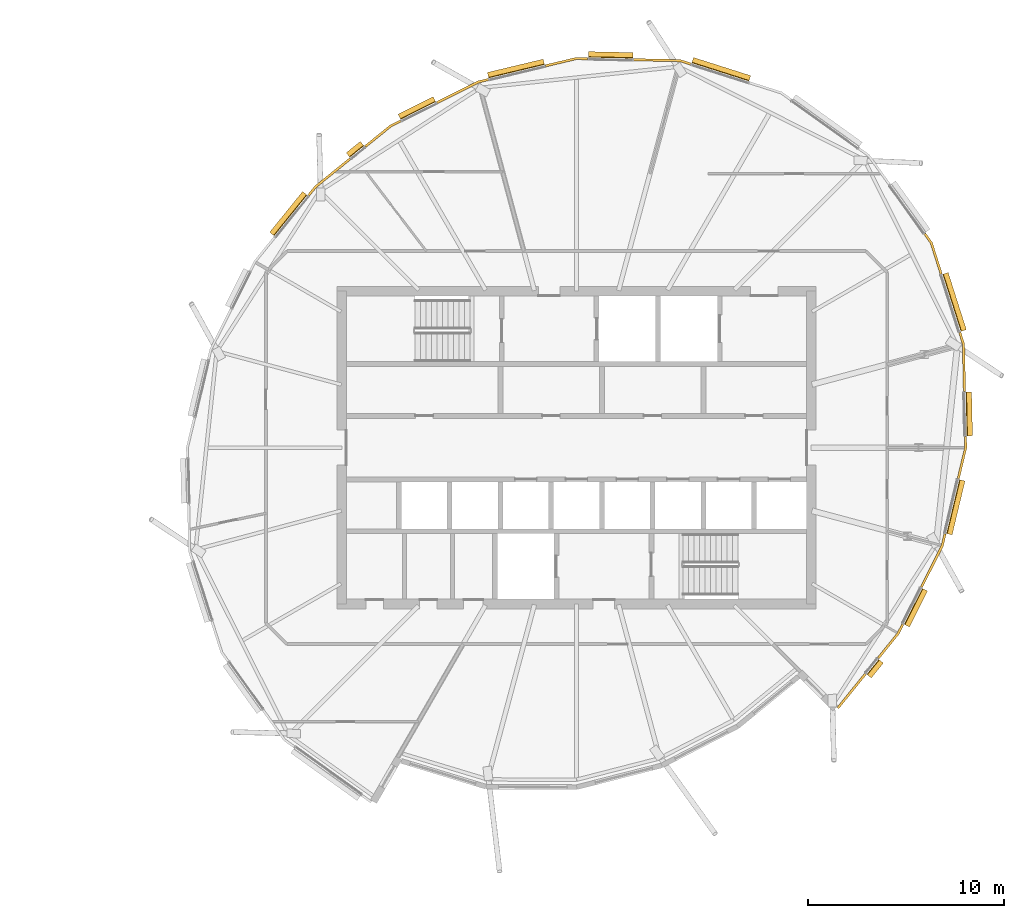
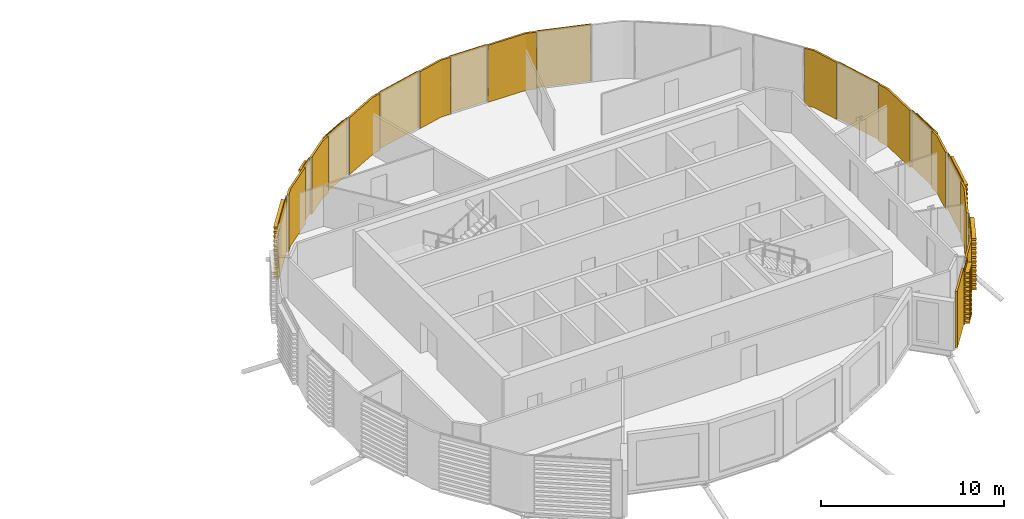
# One storey, part 40 of 41: 22 coverings.
"""IFC4 building model written with IfcOpenShell, lengths in metres."""

from ifc_helpers import new_model, si_unit, direction, frame, origin, place, context, subcontext, project, spatial, polyline, outline, extrude, material, layer, layer_set, material_profile, profile_set, type_object, element, save


model = new_model("IFC4")

# Units and contexts
model_context = context("Model", 3, precision=1e-05, world=origin(), true_north=direction((0.0, 1.0)))
body_context = subcontext(model_context, "Body", "Model", "MODEL_VIEW")
ifc_project = project(units=[si_unit("LENGTHUNIT", "METRE"), si_unit("AREAUNIT", "SQUARE_METRE"), si_unit("VOLUMEUNIT", "CUBIC_METRE"), si_unit("PLANEANGLEUNIT", "RADIAN"), si_unit("MASSUNIT", "GRAM", prefix="KILO")], contexts=[model_context])

# Site, building, storey
site_placement = place(None, origin())
site = spatial("IfcSite", under=ifc_project, at=site_placement, CompositionType="ELEMENT")
building_placement = place(site_placement, origin())
building = spatial("IfcBuilding", under=site, at=building_placement, Name="Rimbun Link Towers", CompositionType="ELEMENT")
storey_placement = place(building_placement, frame((0.0, 0.0, 214.300048828125)))
storey = spatial("IfcBuildingStorey", under=building, at=storey_placement, Name="L52", CompositionType="ELEMENT", Elevation=214.300048828125)

# Coverings
ifc_material_1 = material(Name="Terracotta", Category="masonry")
ifc_layer = layer(ifc_material_1, 0.1201171875)
ifc_layer_set = layer_set([ifc_layer], Name="LINK PIER terracotta cladding 120")
covering_type_1 = type_object("IfcCoveringType", Name="LINK PIER terracotta cladding 120", PredefinedType="CLADDING", material=ifc_layer_set)
covering_1_placement = place(storey_placement, origin())
element("IfcCovering", 1, at=covering_1_placement, inside=storey, type_object=covering_type_1, Name="LINK PIER cladding", PredefinedType="CLADDING", context=body_context, shape_type="SweptSolid", body=[
    extrude(outline(polyline([(34.665771484375, 19.77490234375), (37.035400390625, 19.72509765625), (37.57861328125, 19.55224609375), (37.61474609375, 19.66650390625), (37.05517578125, 19.8447265625), (34.66845703125, 19.894775390625), (34.665771484375, 19.77490234375)])), origin(), (0.0, 0.0, 1.0), 3.800048828125),
])
covering_2_placement = place(storey_placement, origin())
element("IfcCovering", 2, at=covering_2_placement, inside=storey, type_object=covering_type_1, Name="LINK PIER cladding", PredefinedType="CLADDING", context=body_context, shape_type="SweptSolid", body=[
    extrude(outline(polyline([(30.17431640625, 19.45947265625), (31.75, 19.836181640625), (32.31982421875, 19.82421875), (32.322509765625, 19.9443359375), (31.737060546875, 19.95654296875), (30.146484375, 19.576171875), (30.17431640625, 19.45947265625)])), origin(), (0.0, 0.0, 1.0), 3.800048828125),
])
covering_3_placement = place(storey_placement, origin())
element("IfcCovering", 3, at=covering_3_placement, inside=storey, type_object=covering_type_1, Name="LINK PIER cladding", PredefinedType="CLADDING", context=body_context, shape_type="SweptSolid", body=[
    extrude(outline(polyline([(24.636962890625, 17.578125), (26.7548828125, 18.6416015625), (27.2607421875, 18.7626953125), (27.23291015625, 18.87939453125), (26.713623046875, 18.755126953125), (24.583251953125, 17.685302734375), (24.636962890625, 17.578125)])), origin(), (0.0, 0.0, 1.0), 3.800048828125),
])
covering_4_placement = place(storey_placement, origin())
element("IfcCovering", 4, at=covering_4_placement, inside=storey, type_object=covering_type_1, Name="LINK PIER cladding", PredefinedType="CLADDING", context=body_context, shape_type="SweptSolid", body=[
    extrude(outline(polyline([(20.985595703125, 15.345703125), (22.28369140625, 16.396240234375), (22.79296875, 16.652099609375), (22.739013671875, 16.75927734375), (22.21826171875, 16.497802734375), (20.91015625, 15.43896484375), (20.985595703125, 15.345703125)])), origin(), (0.0, 0.0, 1.0), 3.800048828125),
])
covering_5_placement = place(storey_placement, origin())
element("IfcCovering", 5, at=covering_5_placement, inside=storey, type_object=covering_type_1, Name="LINK PIER cladding", PredefinedType="CLADDING", context=body_context, shape_type="SweptSolid", body=[
    extrude(outline(polyline([(18.09521484375, 12.853271484375), (18.453857421875, 13.296142578125), (20.21826171875, 14.724365234375), (20.142578125, 14.817626953125), (18.368408203125, 13.381591796875), (18.001953125, 12.9287109375), (18.09521484375, 12.853271484375)])), origin(), (0.0, 0.0, 1.0), 3.800048828125),
])
covering_6_placement = place(storey_placement, origin())
element("IfcCovering", 6, at=covering_6_placement, inside=storey, type_object=covering_type_1, Name="LINK PIER cladding", PredefinedType="CLADDING", context=body_context, shape_type="SweptSolid", body=[
    extrude(outline(polyline([(46.474365234375, -11.53173828125), (45.065185546875, -13.27294921875), (45.158447265625, -13.348388671875), (46.567626953125, -11.607421875), (46.474365234375, -11.53173828125)])), origin(), (0.0, 0.0, 1.0), 3.800048828125),
])
covering_7_placement = place(storey_placement, origin())
element("IfcCovering", 7, at=covering_7_placement, inside=storey, type_object=covering_type_1, Name="LINK PIER cladding", PredefinedType="CLADDING", context=body_context, shape_type="SweptSolid", body=[
    extrude(outline(polyline([(48.379638671875, -9.001708984375), (48.146240234375, -9.46630859375), (47.126953125, -10.7255859375), (47.22021484375, -10.801025390625), (48.247802734375, -9.53173828125), (48.48681640625, -9.0556640625), (48.379638671875, -9.001708984375)])), origin(), (0.0, 0.0, 1.0), 3.800048828125),
])
covering_8_placement = place(storey_placement, origin())
element("IfcCovering", 8, at=covering_8_placement, inside=storey, type_object=covering_type_1, Name="LINK PIER cladding", PredefinedType="CLADDING", context=body_context, shape_type="SweptSolid", body=[
    extrude(outline(polyline([(50.535888671875, -4.39208984375), (50.3916015625, -4.9951171875), (49.328125, -7.113037109375), (49.435302734375, -7.166748046875), (50.505126953125, -5.036376953125), (50.652587890625, -4.419921875), (50.535888671875, -4.39208984375)])), origin(), (0.0, 0.0, 1.0), 3.800048828125),
])
covering_9_placement = place(storey_placement, origin())
element("IfcCovering", 9, at=covering_9_placement, inside=storey, type_object=covering_type_1, Name="LINK PIER cladding", PredefinedType="CLADDING", context=body_context, shape_type="SweptSolid", body=[
    extrude(outline(polyline([(51.57421875, 0.56982421875), (51.586181640625, 0.0), (51.20947265625, -1.57568359375), (51.326171875, -1.603515625), (51.70654296875, -0.012939453125), (51.6943359375, 0.572509765625), (51.57421875, 0.56982421875)])), origin(), (0.0, 0.0, 1.0), 3.800048828125),
])
covering_10_placement = place(storey_placement, origin())
element("IfcCovering", 10, at=covering_10_placement, inside=storey, type_object=covering_type_1, Name="LINK PIER cladding", PredefinedType="CLADDING", context=body_context, shape_type="SweptSolid", body=[
    extrude(outline(polyline([(51.287109375, 5.876220703125), (51.47509765625, 5.285400390625), (51.52587890625, 2.86572265625), (51.64599609375, 2.868408203125), (51.5947265625, 5.30517578125), (51.4013671875, 5.91259765625), (51.287109375, 5.876220703125)])), origin(), (0.0, 0.0, 1.0), 3.800048828125),
])
covering_11_placement = place(storey_placement, origin())
element("IfcCovering", 11, at=covering_11_placement, inside=storey, type_object=covering_type_1, Name="LINK PIER cladding", PredefinedType="CLADDING", context=body_context, shape_type="SweptSolid", body=[
    extrude(outline(polyline([(49.5029296875, 10.904541015625), (49.835205078125, 10.44140625), (50.34130859375, 8.85009765625), (50.45556640625, 8.886474609375), (49.94384765625, 10.49609375), (49.600341796875, 10.974609375), (49.5029296875, 10.904541015625)])), origin(), (0.0, 0.0, 1.0), 3.800048828125),
])
ifc_material_2 = material(Name="Terracotta", Category="masonry")
ifc_material_profile = material_profile(ifc_material_2, outline(polyline([(0.123046875, 0.0), (0.1630859375, 0.0), (0.1630859375, 0.10009765625), (0.423095703125, 0.10009765625), (0.423095703125, 0.219970703125), (0.1630859375, 0.219970703125), (0.1630859375, 0.39990234375), (0.423095703125, 0.39990234375), (0.423095703125, 0.52001953125), (0.1630859375, 0.52001953125), (0.1630859375, 0.699951171875), (0.423095703125, 0.699951171875), (0.423095703125, 0.820068359375), (0.1630859375, 0.820068359375), (0.1630859375, 1.0), (0.423095703125, 1.0), (0.423095703125, 1.1201171875), (0.1630859375, 1.1201171875), (0.1630859375, 1.300048828125), (0.423095703125, 1.300048828125), (0.423095703125, 1.419921875), (0.1630859375, 1.419921875), (0.1630859375, 1.60009765625), (0.423095703125, 1.60009765625), (0.423095703125, 1.719970703125), (0.1630859375, 1.719970703125), (0.1630859375, 1.89990234375), (0.423095703125, 1.89990234375), (0.423095703125, 2.02001953125), (0.1630859375, 2.02001953125), (0.1630859375, 2.199951171875), (0.423095703125, 2.199951171875), (0.423095703125, 2.320068359375), (0.1630859375, 2.320068359375), (0.1630859375, 2.5), (0.423095703125, 2.5), (0.423095703125, 2.6201171875), (0.1630859375, 2.6201171875), (0.1630859375, 2.800048828125), (0.423095703125, 2.800048828125), (0.423095703125, 2.919921875), (0.1630859375, 2.919921875), (0.1630859375, 3.10009765625), (0.423095703125, 3.10009765625), (0.423095703125, 3.219970703125), (0.1630859375, 3.219970703125), (0.1630859375, 3.39990234375), (0.423095703125, 3.39990234375), (0.423095703125, 3.52001953125), (0.1630859375, 3.52001953125), (0.1630859375, 3.800048828125), (0.123046875, 3.800048828125), (0.123046875, 0.0)])), Name="BAGUETTE 120X300")
ifc_profile_set = profile_set([ifc_material_profile], Name="Terracotta")
covering_type_2 = type_object("IfcCoveringType", Name="TERRACOTTA BAGUETTE 120X300 H3800", PredefinedType="CLADDING", material=ifc_profile_set)
covering_12_placement = place(storey_placement, frame((37.607177734375, 19.543212890625, 0.0), z_axis=(0.952956154888, -0.303108176829, 0.0), x_axis=(0.303108176829, 0.952956154888, 0.0)))
element("IfcCovering", 12, at=covering_12_placement, inside=storey, type_object=covering_type_2, Name="TERRACOTTA BAGUETTE", PredefinedType="CLADDING", context=body_context, shape_type="SweptSolid", body=[
    extrude(outline(polyline([(0.123046875, 0.0), (0.1630859375, 0.0), (0.1630859375, 0.10009765625), (0.423095703125, 0.10009765625), (0.423095703125, 0.219970703125), (0.1630859375, 0.219970703125), (0.1630859375, 0.39990234375), (0.423095703125, 0.39990234375), (0.423095703125, 0.52001953125), (0.1630859375, 0.52001953125), (0.1630859375, 0.699951171875), (0.423095703125, 0.699951171875), (0.423095703125, 0.820068359375), (0.1630859375, 0.820068359375), (0.1630859375, 1.0), (0.423095703125, 1.0), (0.423095703125, 1.1201171875), (0.1630859375, 1.1201171875), (0.1630859375, 1.300048828125), (0.423095703125, 1.300048828125), (0.423095703125, 1.419921875), (0.1630859375, 1.419921875), (0.1630859375, 1.60009765625), (0.423095703125, 1.60009765625), (0.423095703125, 1.719970703125), (0.1630859375, 1.719970703125), (0.1630859375, 1.89990234375), (0.423095703125, 1.89990234375), (0.423095703125, 2.02001953125), (0.1630859375, 2.02001953125), (0.1630859375, 2.199951171875), (0.423095703125, 2.199951171875), (0.423095703125, 2.320068359375), (0.1630859375, 2.320068359375), (0.1630859375, 2.5), (0.423095703125, 2.5), (0.423095703125, 2.6201171875), (0.1630859375, 2.6201171875), (0.1630859375, 2.800048828125), (0.423095703125, 2.800048828125), (0.423095703125, 2.919921875), (0.1630859375, 2.919921875), (0.1630859375, 3.10009765625), (0.423095703125, 3.10009765625), (0.423095703125, 3.219970703125), (0.1630859375, 3.219970703125), (0.1630859375, 3.39990234375), (0.423095703125, 3.39990234375), (0.423095703125, 3.52001953125), (0.1630859375, 3.52001953125), (0.1630859375, 3.800048828125), (0.123046875, 3.800048828125), (0.123046875, 0.0)])), origin(), (0.0, 0.0, 1.0), 3.060791015625),
])
covering_13_placement = place(storey_placement, frame((32.349853515625, 19.82373046875, 0.0), z_axis=(0.999778727091, -0.021035609232, 0.0), x_axis=(0.021035609232, 0.999778727091, 0.0)))
element("IfcCovering", 13, at=covering_13_placement, inside=storey, type_object=covering_type_2, Name="TERRACOTTA BAGUETTE", PredefinedType="CLADDING", context=body_context, shape_type="SweptSolid", body=[
    extrude(outline(polyline([(0.123046875, 0.0), (0.1630859375, 0.0), (0.1630859375, 0.10009765625), (0.423095703125, 0.10009765625), (0.423095703125, 0.219970703125), (0.1630859375, 0.219970703125), (0.1630859375, 0.39990234375), (0.423095703125, 0.39990234375), (0.423095703125, 0.52001953125), (0.1630859375, 0.52001953125), (0.1630859375, 0.699951171875), (0.423095703125, 0.699951171875), (0.423095703125, 0.820068359375), (0.1630859375, 0.820068359375), (0.1630859375, 1.0), (0.423095703125, 1.0), (0.423095703125, 1.1201171875), (0.1630859375, 1.1201171875), (0.1630859375, 1.300048828125), (0.423095703125, 1.300048828125), (0.423095703125, 1.419921875), (0.1630859375, 1.419921875), (0.1630859375, 1.60009765625), (0.423095703125, 1.60009765625), (0.423095703125, 1.719970703125), (0.1630859375, 1.719970703125), (0.1630859375, 1.89990234375), (0.423095703125, 1.89990234375), (0.423095703125, 2.02001953125), (0.1630859375, 2.02001953125), (0.1630859375, 2.199951171875), (0.423095703125, 2.199951171875), (0.423095703125, 2.320068359375), (0.1630859375, 2.320068359375), (0.1630859375, 2.5), (0.423095703125, 2.5), (0.423095703125, 2.6201171875), (0.1630859375, 2.6201171875), (0.1630859375, 2.800048828125), (0.423095703125, 2.800048828125), (0.423095703125, 2.919921875), (0.1630859375, 2.919921875), (0.1630859375, 3.10009765625), (0.423095703125, 3.10009765625), (0.423095703125, 3.219970703125), (0.1630859375, 3.219970703125), (0.1630859375, 3.39990234375), (0.423095703125, 3.39990234375), (0.423095703125, 3.52001953125), (0.1630859375, 3.52001953125), (0.1630859375, 3.800048828125), (0.123046875, 3.800048828125), (0.123046875, 0.0)])), origin(), (0.0, 0.0, 1.0), 2.286376953125),
])
covering_14_placement = place(storey_placement, frame((27.289794921875, 18.76953125, 0.0), z_axis=(0.972576438223, 0.232583472786, 0.0), x_axis=(-0.232583472786, 0.972576438223, 0.0)))
element("IfcCovering", 14, at=covering_14_placement, inside=storey, type_object=covering_type_2, Name="TERRACOTTA BAGUETTE", PredefinedType="CLADDING", context=body_context, shape_type="SweptSolid", body=[
    extrude(outline(polyline([(0.123046875, 0.0), (0.1630859375, 0.0), (0.1630859375, 0.10009765625), (0.423095703125, 0.10009765625), (0.423095703125, 0.219970703125), (0.1630859375, 0.219970703125), (0.1630859375, 0.39990234375), (0.423095703125, 0.39990234375), (0.423095703125, 0.52001953125), (0.1630859375, 0.52001953125), (0.1630859375, 0.699951171875), (0.423095703125, 0.699951171875), (0.423095703125, 0.820068359375), (0.1630859375, 0.820068359375), (0.1630859375, 1.0), (0.423095703125, 1.0), (0.423095703125, 1.1201171875), (0.1630859375, 1.1201171875), (0.1630859375, 1.300048828125), (0.423095703125, 1.300048828125), (0.423095703125, 1.419921875), (0.1630859375, 1.419921875), (0.1630859375, 1.60009765625), (0.423095703125, 1.60009765625), (0.423095703125, 1.719970703125), (0.1630859375, 1.719970703125), (0.1630859375, 1.89990234375), (0.423095703125, 1.89990234375), (0.423095703125, 2.02001953125), (0.1630859375, 2.02001953125), (0.1630859375, 2.199951171875), (0.423095703125, 2.199951171875), (0.423095703125, 2.320068359375), (0.1630859375, 2.320068359375), (0.1630859375, 2.5), (0.423095703125, 2.5), (0.423095703125, 2.6201171875), (0.1630859375, 2.6201171875), (0.1630859375, 2.800048828125), (0.423095703125, 2.800048828125), (0.423095703125, 2.919921875), (0.1630859375, 2.919921875), (0.1630859375, 3.10009765625), (0.423095703125, 3.10009765625), (0.423095703125, 3.219970703125), (0.1630859375, 3.219970703125), (0.1630859375, 3.39990234375), (0.423095703125, 3.39990234375), (0.423095703125, 3.52001953125), (0.1630859375, 3.52001953125), (0.1630859375, 3.800048828125), (0.123046875, 3.800048828125), (0.123046875, 0.0)])), origin(), (0.0, 0.0, 1.0), 2.93603515625),
])
covering_15_placement = place(storey_placement, frame((22.81982421875, 16.66552734375, 0.0), z_axis=(0.893645992803, 0.448772592241, 0.0), x_axis=(-0.448772592241, 0.893645992803, 0.0)))
element("IfcCovering", 15, at=covering_15_placement, inside=storey, type_object=covering_type_2, Name="TERRACOTTA BAGUETTE", PredefinedType="CLADDING", context=body_context, shape_type="SweptSolid", body=[
    extrude(outline(polyline([(0.123046875, 0.0), (0.1630859375, 0.0), (0.1630859375, 0.10009765625), (0.423095703125, 0.10009765625), (0.423095703125, 0.219970703125), (0.1630859375, 0.219970703125), (0.1630859375, 0.39990234375), (0.423095703125, 0.39990234375), (0.423095703125, 0.52001953125), (0.1630859375, 0.52001953125), (0.1630859375, 0.699951171875), (0.423095703125, 0.699951171875), (0.423095703125, 0.820068359375), (0.1630859375, 0.820068359375), (0.1630859375, 1.0), (0.423095703125, 1.0), (0.423095703125, 1.1201171875), (0.1630859375, 1.1201171875), (0.1630859375, 1.300048828125), (0.423095703125, 1.300048828125), (0.423095703125, 1.419921875), (0.1630859375, 1.419921875), (0.1630859375, 1.60009765625), (0.423095703125, 1.60009765625), (0.423095703125, 1.719970703125), (0.1630859375, 1.719970703125), (0.1630859375, 1.89990234375), (0.423095703125, 1.89990234375), (0.423095703125, 2.02001953125), (0.1630859375, 2.02001953125), (0.1630859375, 2.199951171875), (0.423095703125, 2.199951171875), (0.423095703125, 2.320068359375), (0.1630859375, 2.320068359375), (0.1630859375, 2.5), (0.423095703125, 2.5), (0.423095703125, 2.6201171875), (0.1630859375, 2.6201171875), (0.1630859375, 2.800048828125), (0.423095703125, 2.800048828125), (0.423095703125, 2.919921875), (0.1630859375, 2.919921875), (0.1630859375, 3.10009765625), (0.423095703125, 3.10009765625), (0.423095703125, 3.219970703125), (0.1630859375, 3.219970703125), (0.1630859375, 3.39990234375), (0.423095703125, 3.39990234375), (0.423095703125, 3.52001953125), (0.1630859375, 3.52001953125), (0.1630859375, 3.800048828125), (0.123046875, 3.800048828125), (0.123046875, 0.0)])), origin(), (0.0, 0.0, 1.0), 2.003662109375),
])
covering_16_placement = place(storey_placement, frame((20.241455078125, 14.743408203125, 0.0), z_axis=(0.777336845963, 0.629084595192, 0.0), x_axis=(-0.629084595192, 0.777336845963, 0.0)))
element("IfcCovering", 16, at=covering_16_placement, inside=storey, type_object=covering_type_2, Name="TERRACOTTA BAGUETTE", PredefinedType="CLADDING", context=body_context, shape_type="SweptSolid", body=[
    extrude(outline(polyline([(0.123046875, 0.0), (0.1630859375, 0.0), (0.1630859375, 0.10009765625), (0.423095703125, 0.10009765625), (0.423095703125, 0.219970703125), (0.1630859375, 0.219970703125), (0.1630859375, 0.39990234375), (0.423095703125, 0.39990234375), (0.423095703125, 0.52001953125), (0.1630859375, 0.52001953125), (0.1630859375, 0.699951171875), (0.423095703125, 0.699951171875), (0.423095703125, 0.820068359375), (0.1630859375, 0.820068359375), (0.1630859375, 1.0), (0.423095703125, 1.0), (0.423095703125, 1.1201171875), (0.1630859375, 1.1201171875), (0.1630859375, 1.300048828125), (0.423095703125, 1.300048828125), (0.423095703125, 1.419921875), (0.1630859375, 1.419921875), (0.1630859375, 1.60009765625), (0.423095703125, 1.60009765625), (0.423095703125, 1.719970703125), (0.1630859375, 1.719970703125), (0.1630859375, 1.89990234375), (0.423095703125, 1.89990234375), (0.423095703125, 2.02001953125), (0.1630859375, 2.02001953125), (0.1630859375, 2.199951171875), (0.423095703125, 2.199951171875), (0.423095703125, 2.320068359375), (0.1630859375, 2.320068359375), (0.1630859375, 2.5), (0.423095703125, 2.5), (0.423095703125, 2.6201171875), (0.1630859375, 2.6201171875), (0.1630859375, 2.800048828125), (0.423095703125, 2.800048828125), (0.423095703125, 2.919921875), (0.1630859375, 2.919921875), (0.1630859375, 3.10009765625), (0.423095703125, 3.10009765625), (0.423095703125, 3.219970703125), (0.1630859375, 3.219970703125), (0.1630859375, 3.39990234375), (0.423095703125, 3.39990234375), (0.423095703125, 3.52001953125), (0.1630859375, 3.52001953125), (0.1630859375, 3.800048828125), (0.123046875, 3.800048828125), (0.123046875, 0.0)])), origin(), (0.0, 0.0, 1.0), 0.92724609375),
])
covering_17_placement = place(storey_placement, frame((16.391845703125, 10.748779296875, 0.0), z_axis=(0.629177243373, 0.777261858335, 0.0), x_axis=(-0.777261858335, 0.629177243373, 0.0)))
element("IfcCovering", 17, at=covering_17_placement, inside=storey, type_object=covering_type_2, Name="TERRACOTTA BAGUETTE", PredefinedType="CLADDING", context=body_context, shape_type="SweptSolid", body=[
    extrude(outline(polyline([(0.123046875, 0.0), (0.1630859375, 0.0), (0.1630859375, 0.10009765625), (0.423095703125, 0.10009765625), (0.423095703125, 0.219970703125), (0.1630859375, 0.219970703125), (0.1630859375, 0.39990234375), (0.423095703125, 0.39990234375), (0.423095703125, 0.52001953125), (0.1630859375, 0.52001953125), (0.1630859375, 0.699951171875), (0.423095703125, 0.699951171875), (0.423095703125, 0.820068359375), (0.1630859375, 0.820068359375), (0.1630859375, 1.0), (0.423095703125, 1.0), (0.423095703125, 1.1201171875), (0.1630859375, 1.1201171875), (0.1630859375, 1.300048828125), (0.423095703125, 1.300048828125), (0.423095703125, 1.419921875), (0.1630859375, 1.419921875), (0.1630859375, 1.60009765625), (0.423095703125, 1.60009765625), (0.423095703125, 1.719970703125), (0.1630859375, 1.719970703125), (0.1630859375, 1.89990234375), (0.423095703125, 1.89990234375), (0.423095703125, 2.02001953125), (0.1630859375, 2.02001953125), (0.1630859375, 2.199951171875), (0.423095703125, 2.199951171875), (0.423095703125, 2.320068359375), (0.1630859375, 2.320068359375), (0.1630859375, 2.5), (0.423095703125, 2.5), (0.423095703125, 2.6201171875), (0.1630859375, 2.6201171875), (0.1630859375, 2.800048828125), (0.423095703125, 2.800048828125), (0.423095703125, 2.919921875), (0.1630859375, 2.919921875), (0.1630859375, 3.10009765625), (0.423095703125, 3.10009765625), (0.423095703125, 3.219970703125), (0.1630859375, 3.219970703125), (0.1630859375, 3.39990234375), (0.423095703125, 3.39990234375), (0.423095703125, 3.52001953125), (0.1630859375, 3.52001953125), (0.1630859375, 3.800048828125), (0.123046875, 3.800048828125), (0.123046875, 0.0)])), origin(), (0.0, 0.0, 1.0), 2.677490234375),
])
covering_18_placement = place(storey_placement, frame((47.108154296875, -10.748779296875, 0.0), z_axis=(-0.629011369329, -0.777396100617, 0.0), x_axis=(0.777396100617, -0.629011369329, 0.0)))
element("IfcCovering", 18, at=covering_18_placement, inside=storey, type_object=covering_type_2, Name="TERRACOTTA BAGUETTE", PredefinedType="CLADDING", context=body_context, shape_type="SweptSolid", body=[
    extrude(outline(polyline([(0.123046875, 0.0), (0.1630859375, 0.0), (0.1630859375, 0.10009765625), (0.423095703125, 0.10009765625), (0.423095703125, 0.219970703125), (0.1630859375, 0.219970703125), (0.1630859375, 0.39990234375), (0.423095703125, 0.39990234375), (0.423095703125, 0.52001953125), (0.1630859375, 0.52001953125), (0.1630859375, 0.699951171875), (0.423095703125, 0.699951171875), (0.423095703125, 0.820068359375), (0.1630859375, 0.820068359375), (0.1630859375, 1.0), (0.423095703125, 1.0), (0.423095703125, 1.1201171875), (0.1630859375, 1.1201171875), (0.1630859375, 1.300048828125), (0.423095703125, 1.300048828125), (0.423095703125, 1.419921875), (0.1630859375, 1.419921875), (0.1630859375, 1.60009765625), (0.423095703125, 1.60009765625), (0.423095703125, 1.719970703125), (0.1630859375, 1.719970703125), (0.1630859375, 1.89990234375), (0.423095703125, 1.89990234375), (0.423095703125, 2.02001953125), (0.1630859375, 2.02001953125), (0.1630859375, 2.199951171875), (0.423095703125, 2.199951171875), (0.423095703125, 2.320068359375), (0.1630859375, 2.320068359375), (0.1630859375, 2.5), (0.423095703125, 2.5), (0.423095703125, 2.6201171875), (0.1630859375, 2.6201171875), (0.1630859375, 2.800048828125), (0.423095703125, 2.800048828125), (0.423095703125, 2.919921875), (0.1630859375, 2.919921875), (0.1630859375, 3.10009765625), (0.423095703125, 3.10009765625), (0.423095703125, 3.219970703125), (0.1630859375, 3.219970703125), (0.1630859375, 3.39990234375), (0.423095703125, 3.39990234375), (0.423095703125, 3.52001953125), (0.1630859375, 3.52001953125), (0.1630859375, 3.800048828125), (0.123046875, 3.800048828125), (0.123046875, 0.0)])), origin(), (0.0, 0.0, 1.0), 0.977294921875),
])
covering_19_placement = place(storey_placement, frame((49.314697265625, -7.1396484375, 0.0), z_axis=(-0.448782158718, -0.89364118863, 0.0), x_axis=(0.89364118863, -0.448782158718, 0.0)))
element("IfcCovering", 19, at=covering_19_placement, inside=storey, type_object=covering_type_2, Name="TERRACOTTA BAGUETTE", PredefinedType="CLADDING", context=body_context, shape_type="SweptSolid", body=[
    extrude(outline(polyline([(0.123046875, 0.0), (0.1630859375, 0.0), (0.1630859375, 0.10009765625), (0.423095703125, 0.10009765625), (0.423095703125, 0.219970703125), (0.1630859375, 0.219970703125), (0.1630859375, 0.39990234375), (0.423095703125, 0.39990234375), (0.423095703125, 0.52001953125), (0.1630859375, 0.52001953125), (0.1630859375, 0.699951171875), (0.423095703125, 0.699951171875), (0.423095703125, 0.820068359375), (0.1630859375, 0.820068359375), (0.1630859375, 1.0), (0.423095703125, 1.0), (0.423095703125, 1.1201171875), (0.1630859375, 1.1201171875), (0.1630859375, 1.300048828125), (0.423095703125, 1.300048828125), (0.423095703125, 1.419921875), (0.1630859375, 1.419921875), (0.1630859375, 1.60009765625), (0.423095703125, 1.60009765625), (0.423095703125, 1.719970703125), (0.1630859375, 1.719970703125), (0.1630859375, 1.89990234375), (0.423095703125, 1.89990234375), (0.423095703125, 2.02001953125), (0.1630859375, 2.02001953125), (0.1630859375, 2.199951171875), (0.423095703125, 2.199951171875), (0.423095703125, 2.320068359375), (0.1630859375, 2.320068359375), (0.1630859375, 2.5), (0.423095703125, 2.5), (0.423095703125, 2.6201171875), (0.1630859375, 2.6201171875), (0.1630859375, 2.800048828125), (0.423095703125, 2.800048828125), (0.423095703125, 2.919921875), (0.1630859375, 2.919921875), (0.1630859375, 3.10009765625), (0.423095703125, 3.10009765625), (0.423095703125, 3.219970703125), (0.1630859375, 3.219970703125), (0.1630859375, 3.39990234375), (0.423095703125, 3.39990234375), (0.423095703125, 3.52001953125), (0.1630859375, 3.52001953125), (0.1630859375, 3.800048828125), (0.123046875, 3.800048828125), (0.123046875, 0.0)])), origin(), (0.0, 0.0, 1.0), 2.0537109375),
])
covering_20_placement = place(storey_placement, frame((51.202392578125, -1.604736328125, 0.0), z_axis=(-0.232536035839, -0.972587781147, 0.0), x_axis=(0.972587781147, -0.232536035839, 0.0)))
element("IfcCovering", 20, at=covering_20_placement, inside=storey, type_object=covering_type_2, Name="TERRACOTTA BAGUETTE", PredefinedType="CLADDING", context=body_context, shape_type="SweptSolid", body=[
    extrude(outline(polyline([(0.123046875, 0.0), (0.1630859375, 0.0), (0.1630859375, 0.10009765625), (0.423095703125, 0.10009765625), (0.423095703125, 0.219970703125), (0.1630859375, 0.219970703125), (0.1630859375, 0.39990234375), (0.423095703125, 0.39990234375), (0.423095703125, 0.52001953125), (0.1630859375, 0.52001953125), (0.1630859375, 0.699951171875), (0.423095703125, 0.699951171875), (0.423095703125, 0.820068359375), (0.1630859375, 0.820068359375), (0.1630859375, 1.0), (0.423095703125, 1.0), (0.423095703125, 1.1201171875), (0.1630859375, 1.1201171875), (0.1630859375, 1.300048828125), (0.423095703125, 1.300048828125), (0.423095703125, 1.419921875), (0.1630859375, 1.419921875), (0.1630859375, 1.60009765625), (0.423095703125, 1.60009765625), (0.423095703125, 1.719970703125), (0.1630859375, 1.719970703125), (0.1630859375, 1.89990234375), (0.423095703125, 1.89990234375), (0.423095703125, 2.02001953125), (0.1630859375, 2.02001953125), (0.1630859375, 2.199951171875), (0.423095703125, 2.199951171875), (0.423095703125, 2.320068359375), (0.1630859375, 2.320068359375), (0.1630859375, 2.5), (0.423095703125, 2.5), (0.423095703125, 2.6201171875), (0.1630859375, 2.6201171875), (0.1630859375, 2.800048828125), (0.423095703125, 2.800048828125), (0.423095703125, 2.919921875), (0.1630859375, 2.919921875), (0.1630859375, 3.10009765625), (0.423095703125, 3.10009765625), (0.423095703125, 3.219970703125), (0.1630859375, 3.219970703125), (0.1630859375, 3.39990234375), (0.423095703125, 3.39990234375), (0.423095703125, 3.52001953125), (0.1630859375, 3.52001953125), (0.1630859375, 3.800048828125), (0.123046875, 3.800048828125), (0.123046875, 0.0)])), origin(), (0.0, 0.0, 1.0), 2.835693359375),
])
covering_21_placement = place(storey_placement, frame((51.526611328125, 2.8359375, 0.0), z_axis=(0.021067492604, -0.999778055748, 0.0), x_axis=(0.999778055748, 0.021067492604, 0.0)))
element("IfcCovering", 21, at=covering_21_placement, inside=storey, type_object=covering_type_2, Name="TERRACOTTA BAGUETTE", PredefinedType="CLADDING", context=body_context, shape_type="SweptSolid", body=[
    extrude(outline(polyline([(0.123046875, 0.0), (0.1630859375, 0.0), (0.1630859375, 0.10009765625), (0.423095703125, 0.10009765625), (0.423095703125, 0.219970703125), (0.1630859375, 0.219970703125), (0.1630859375, 0.39990234375), (0.423095703125, 0.39990234375), (0.423095703125, 0.52001953125), (0.1630859375, 0.52001953125), (0.1630859375, 0.699951171875), (0.423095703125, 0.699951171875), (0.423095703125, 0.820068359375), (0.1630859375, 0.820068359375), (0.1630859375, 1.0), (0.423095703125, 1.0), (0.423095703125, 1.1201171875), (0.1630859375, 1.1201171875), (0.1630859375, 1.300048828125), (0.423095703125, 1.300048828125), (0.423095703125, 1.419921875), (0.1630859375, 1.419921875), (0.1630859375, 1.60009765625), (0.423095703125, 1.60009765625), (0.423095703125, 1.719970703125), (0.1630859375, 1.719970703125), (0.1630859375, 1.89990234375), (0.423095703125, 1.89990234375), (0.423095703125, 2.02001953125), (0.1630859375, 2.02001953125), (0.1630859375, 2.199951171875), (0.423095703125, 2.199951171875), (0.423095703125, 2.320068359375), (0.1630859375, 2.320068359375), (0.1630859375, 2.5), (0.423095703125, 2.5), (0.423095703125, 2.6201171875), (0.1630859375, 2.6201171875), (0.1630859375, 2.800048828125), (0.423095703125, 2.800048828125), (0.423095703125, 2.919921875), (0.1630859375, 2.919921875), (0.1630859375, 3.10009765625), (0.423095703125, 3.10009765625), (0.423095703125, 3.219970703125), (0.1630859375, 3.219970703125), (0.1630859375, 3.39990234375), (0.423095703125, 3.39990234375), (0.423095703125, 3.52001953125), (0.1630859375, 3.52001953125), (0.1630859375, 3.800048828125), (0.123046875, 3.800048828125), (0.123046875, 0.0)])), origin(), (0.0, 0.0, 1.0), 2.236572265625),
])
covering_22_placement = place(storey_placement, frame((50.350341796875, 8.821533203125, 0.0), z_axis=(0.303108176829, -0.952956154888, 0.0), x_axis=(0.952956154888, 0.303108176829, 0.0)))
element("IfcCovering", 22, at=covering_22_placement, inside=storey, type_object=covering_type_2, Name="TERRACOTTA BAGUETTE", PredefinedType="CLADDING", context=body_context, shape_type="SweptSolid", body=[
    extrude(outline(polyline([(0.123046875, 0.0), (0.1630859375, 0.0), (0.1630859375, 0.10009765625), (0.423095703125, 0.10009765625), (0.423095703125, 0.219970703125), (0.1630859375, 0.219970703125), (0.1630859375, 0.39990234375), (0.423095703125, 0.39990234375), (0.423095703125, 0.52001953125), (0.1630859375, 0.52001953125), (0.1630859375, 0.699951171875), (0.423095703125, 0.699951171875), (0.423095703125, 0.820068359375), (0.1630859375, 0.820068359375), (0.1630859375, 1.0), (0.423095703125, 1.0), (0.423095703125, 1.1201171875), (0.1630859375, 1.1201171875), (0.1630859375, 1.300048828125), (0.423095703125, 1.300048828125), (0.423095703125, 1.419921875), (0.1630859375, 1.419921875), (0.1630859375, 1.60009765625), (0.423095703125, 1.60009765625), (0.423095703125, 1.719970703125), (0.1630859375, 1.719970703125), (0.1630859375, 1.89990234375), (0.423095703125, 1.89990234375), (0.423095703125, 2.02001953125), (0.1630859375, 2.02001953125), (0.1630859375, 2.199951171875), (0.423095703125, 2.199951171875), (0.423095703125, 2.320068359375), (0.1630859375, 2.320068359375), (0.1630859375, 2.5), (0.423095703125, 2.5), (0.423095703125, 2.6201171875), (0.1630859375, 2.6201171875), (0.1630859375, 2.800048828125), (0.423095703125, 2.800048828125), (0.423095703125, 2.919921875), (0.1630859375, 2.919921875), (0.1630859375, 3.10009765625), (0.423095703125, 3.10009765625), (0.423095703125, 3.219970703125), (0.1630859375, 3.219970703125), (0.1630859375, 3.39990234375), (0.423095703125, 3.39990234375), (0.423095703125, 3.52001953125), (0.1630859375, 3.52001953125), (0.1630859375, 3.800048828125), (0.123046875, 3.800048828125), (0.123046875, 0.0)])), origin(), (0.0, 0.0, 1.0), 3.060791015625),
])

save(model, "model.ifc")
